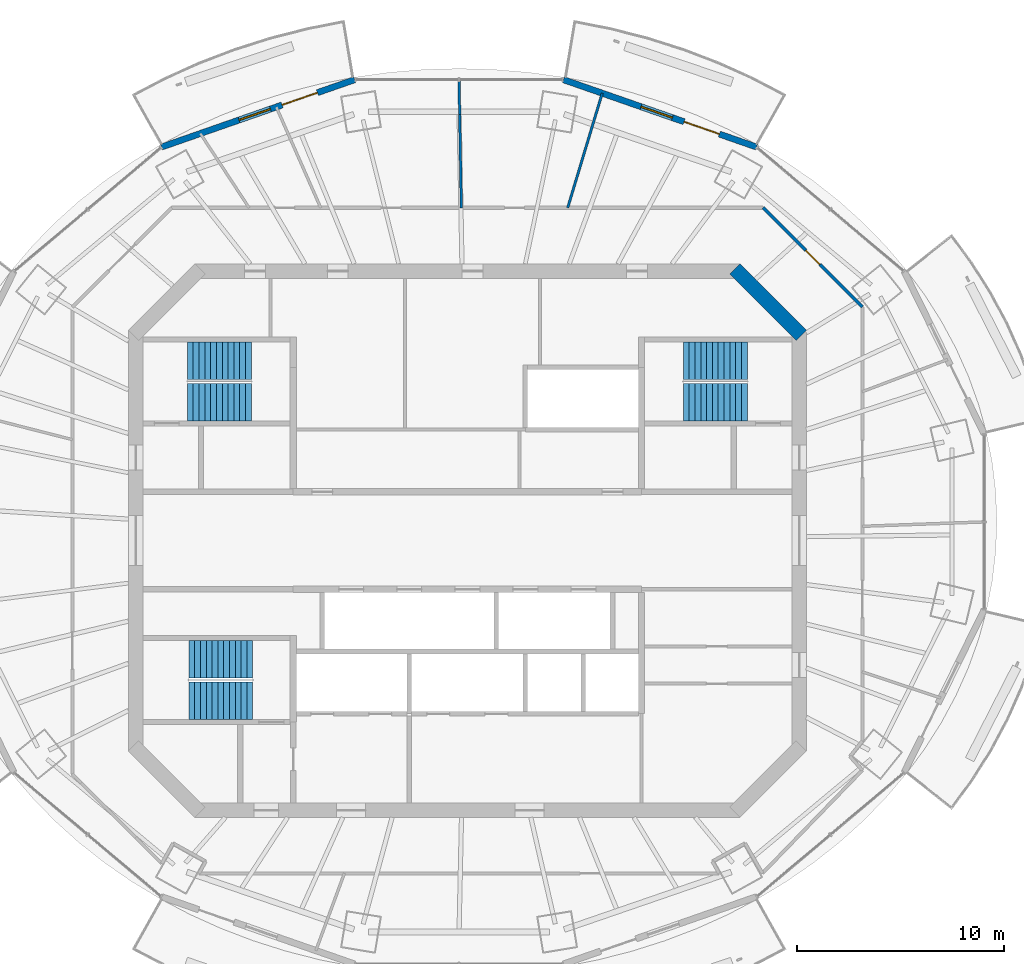
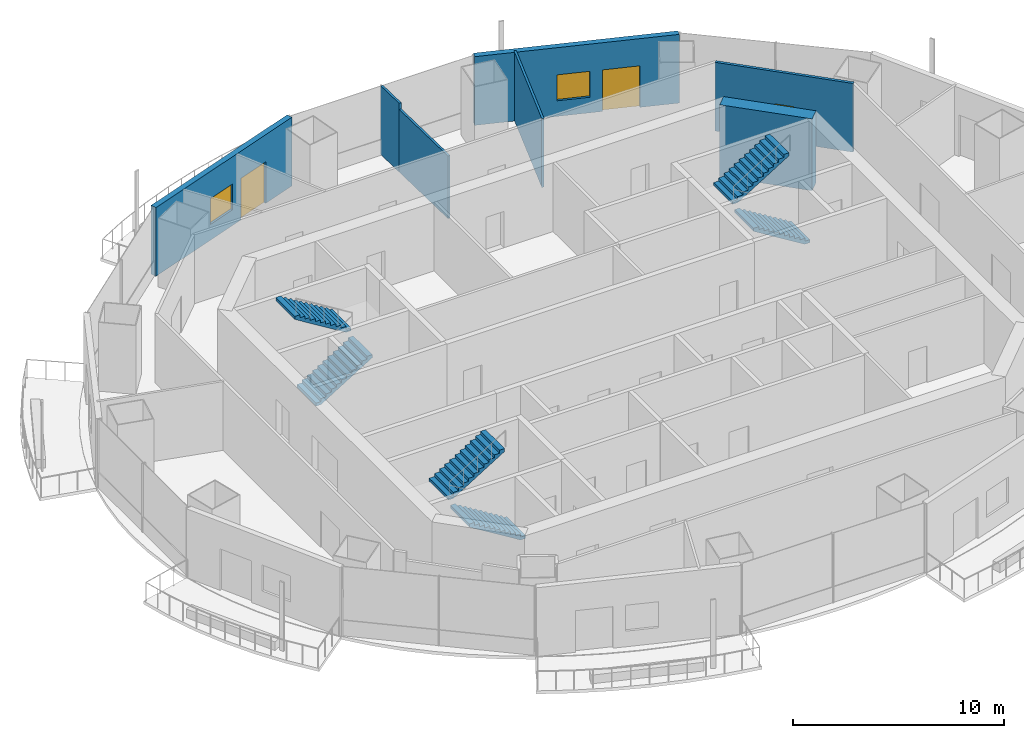
# One storey, part 11 of 16: 7 walls, 6 stair flights, 3 doors, 2 windows, 5 openings, 3 elements without a shape of their own.
"""IFC4 building model written with IfcOpenShell, lengths in metres."""

from ifc_helpers import new_model, si_unit, direction, frame, frame_2d, origin, place, context, subcontext, project, spatial, polyline, rectangle, outline, extrude, material, layer, layer_set, type_object, element, fill, aggregate, save


model = new_model("IFC4")

# Units and contexts
model_context = context("Model", 3, precision=1e-05, world=origin(), true_north=direction((0.0, 1.0)))
body_context = subcontext(model_context, "Body", "Model", "MODEL_VIEW")
ifc_project = project(units=[si_unit("LENGTHUNIT", "METRE"), si_unit("AREAUNIT", "SQUARE_METRE"), si_unit("VOLUMEUNIT", "CUBIC_METRE"), si_unit("PLANEANGLEUNIT", "RADIAN"), si_unit("MASSUNIT", "GRAM", prefix="KILO")], contexts=[model_context])

# Site, building, storey
site_placement = place(None, origin())
site = spatial("IfcSite", under=ifc_project, at=site_placement, CompositionType="ELEMENT")
building_placement = place(site_placement, origin())
building = spatial("IfcBuilding", under=site, at=building_placement, Name="Marenthal Gate Tower", CompositionType="ELEMENT")
storey_placement = place(building_placement, frame((0.0, 0.0, 371.64990234375)))
storey = spatial("IfcBuildingStorey", under=building, at=storey_placement, Name="L84", CompositionType="ELEMENT", Elevation=371.64990234375)

# Walls
ifc_material_1 = material(Name="Concrete 60 MPa", Category="concrete")
ifc_layer_1 = layer(ifc_material_1, 0.699951171875)
ifc_layer_set_1 = layer_set([ifc_layer_1], Name="Core shear wall 700")
wall_type_1 = type_object("IfcWallType", Name="Core shear wall 700", PredefinedType="SHEAR", material=ifc_layer_set_1)
wall_1_placement = place(storey_placement, frame((16.1025390625, 9.8974609375, -0.179931640625), z_axis=(0.0, 0.0, 1.0), x_axis=(-0.707106781187, 0.707106781187, 0.0)))
element("IfcWall", 1, at=wall_1_placement, inside=storey, type_object=wall_type_1, Name="Core wall 03", PredefinedType="SHEAR", context=body_context, shape_type="SweptSolid", body=[
    extrude(rectangle(XDim=4.53271484375, YDim=0.699951171875, at=frame_2d((2.266357421875, 0.0))), origin(), (0.0, 0.0, 1.0), 4.150146484375),
])
ifc_material_2 = material(Name="Gypsum board on steel studs", Category="steel")
ifc_layer_2 = layer(ifc_material_2, 0.1201171875)
ifc_layer_set_2 = layer_set([ifc_layer_2], Name="Partition 120")
wall_type_2 = type_object("IfcWallType", Name="Partition 120", PredefinedType="PARTITIONING", material=ifc_layer_set_2)
wall_2_placement = place(storey_placement, frame((-0.288818359375, 16.050048828125, 0.0), z_axis=(0.0, 0.0, 1.0), x_axis=(-0.01800089031, 0.999837970847, 0.0)))
element("IfcWall", 2, at=wall_2_placement, inside=storey, type_object=wall_type_2, Name="Partition wall 63", PredefinedType="PARTITIONING", context=body_context, shape_type="SweptSolid", body=[
    extrude(rectangle(XDim=4.4892578125, YDim=0.1201171875, at=frame_2d((2.24462890625, 0.0))), origin(), (0.0, 0.0, 1.0), 3.6171875),
])
wall_3_placement = place(storey_placement, frame((-0.36962890625, 20.53857421875, 0.0), z_axis=(0.0, 0.0, 1.0), x_axis=(-0.017923967001, 0.9998393528, 0.0)))
element("IfcWall", 3, at=wall_3_placement, inside=storey, type_object=wall_type_2, Name="Partition wall 79", PredefinedType="PARTITIONING", context=body_context, shape_type="SweptSolid", body=[
    extrude(rectangle(XDim=1.68896484375, YDim=0.1201171875, at=frame_2d((0.844482421875, 0.0))), origin(), (0.0, 0.0, 1.0), 3.97021484375),
])
wall_4_placement = place(storey_placement, frame((4.840087890625, 16.050048828125, 0.0), z_axis=(0.0, 0.0, 1.0), x_axis=(0.288721483907, 0.957413131689, 0.0)))
element("IfcWall", 4, at=wall_4_placement, inside=storey, type_object=wall_type_2, Name="Partition wall 64", PredefinedType="PARTITIONING", context=body_context, shape_type="SweptSolid", body=[
    extrude(rectangle(XDim=5.771240234375, YDim=0.1201171875, at=frame_2d((2.8857421875, 0.0))), origin(), (0.0, 0.0, 1.0), 3.97021484375),
])

# Wall, opening, door
ifc_material_3 = material(Name="Gypsum board on steel studs", Category="steel")
ifc_layer_3 = layer(ifc_material_3, 0.14990234375)
ifc_layer_set_3 = layer_set([ifc_layer_3], Name="Partition 150")
wall_type_3 = type_object("IfcWallType", Name="Partition 150", PredefinedType="PARTITIONING", material=ifc_layer_set_3)
wall_5_placement = place(storey_placement, frame((14.263427734375, 16.050048828125, 0.0), z_axis=(0.0, 0.0, 1.0), x_axis=(0.707106781187, -0.707106781187, 0.0)))
wall_5 = element("IfcWall", 5, at=wall_5_placement, inside=storey, type_object=wall_type_3, Name="Partition wall 69", PredefinedType="PARTITIONING", context=body_context, shape_type="SweptSolid", body=[
    extrude(rectangle(XDim=6.769287109375, YDim=0.14990234375, at=frame_2d((3.384765625, 0.0))), origin(), (0.0, 0.0, 1.0), 3.97021484375),
])
opening_1_placement = place(wall_5_placement, frame((2.909912109375, 0.0, 0.0)))
opening_1 = element("IfcOpeningElement", 6, at=opening_1_placement, cuts=wall_5, Name="Opening D016.01", PredefinedType="OPENING", context=body_context, shape_type="SweptSolid", body=[
    extrude(rectangle(XDim=0.949951171875, YDim=2.10009765625, at=frame_2d((0.47509765625, 1.050048828125))), frame((0.0, 0.0849609375, 0.0), z_axis=(0.0, -1.0, 0.0), x_axis=(1.0, 0.0, 0.0)), (0.0, 0.0, 1.0), 0.169921875),
])
ifc_material_4 = material(Name="Timber door", Category="wood")
door_type_1 = type_object("IfcDoorType", Name="Door 950 x 2100", OperationType="NOTDEFINED", PredefinedType="DOOR", material=ifc_material_4)
door_1_placement = place(opening_1_placement, origin())
door_1 = element("IfcDoor", 7, at=door_1_placement, inside=storey, type_object=door_type_1, Name="Door D016.01", OperationType="SINGLE_SWING_RIGHT", OverallHeight=2.10009765625, OverallWidth=0.949951171875, PredefinedType="DOOR", context=body_context, shape_type="SweptSolid", body=[
    extrude(rectangle(XDim=0.949951171875, YDim=2.10009765625, at=frame_2d((0.47509765625, 1.050048828125))), frame((0.0, 0.02490234375, 0.0), z_axis=(0.0, -1.0, 0.0), x_axis=(1.0, 0.0, 0.0)), (0.0, 0.0, 1.0), 0.050048828125),
])
fill(opening_1, door_1)

# Wall, openings, door, window
ifc_material_5 = material(Name="Terracotta cladding on insulated concrete-block backing", Category="masonry")
ifc_layer_4 = layer(ifc_material_5, 0.300048828125)
ifc_layer_set_4 = layer_set([ifc_layer_4], Name="Terracotta facade wall 300")
wall_type_4 = type_object("IfcWallType", Name="Terracotta facade wall 300", PredefinedType="SOLIDWALL", material=ifc_layer_set_4)
wall_6_placement = place(storey_placement, frame((13.94580078125, 18.980224609375, 0.0), z_axis=(0.0, 0.0, 1.0), x_axis=(-0.944198390312, 0.329377290855, 0.0)))
wall_6 = element("IfcWall", 8, at=wall_6_placement, inside=storey, type_object=wall_type_4, Name="Terracotta facade wall L84 bay 3", PredefinedType="SOLIDWALL", context=body_context, shape_type="SweptSolid", body=[
    extrude(rectangle(XDim=9.858154296875, YDim=0.300048828125, at=frame_2d((4.92919921875, 0.0))), origin(), (0.0, 0.0, 1.0), 3.97021484375),
])
opening_2_placement = place(wall_6_placement, frame((1.89990234375, 0.0, 0.0)))
opening_2 = element("IfcOpeningElement", 9, at=opening_2_placement, cuts=wall_6, Name="Opening BD-L84-03", PredefinedType="OPENING", context=body_context, shape_type="SweptSolid", body=[
    extrude(rectangle(XDim=1.800048828125, YDim=2.39990234375, at=frame_2d((0.89990234375, 1.199951171875))), frame((0.0, 0.16015625, 0.0), z_axis=(0.0, -1.0, 0.0), x_axis=(1.0, 0.0, 0.0)), (0.0, 0.0, 1.0), 0.320068359375),
])
opening_3_placement = place(wall_6_placement, frame((4.300048828125, 0.0, 0.89990234375)))
opening_3 = element("IfcOpeningElement", 10, at=opening_3_placement, cuts=wall_6, Name="Opening WN3-L84-03", PredefinedType="OPENING", context=body_context, shape_type="SweptSolid", body=[
    extrude(rectangle(XDim=1.60009765625, YDim=1.5, at=frame_2d((0.800048828125, 0.75))), frame((0.0, 0.16015625, 0.0), z_axis=(0.0, -1.0, 0.0), x_axis=(1.0, 0.0, 0.0)), (0.0, 0.0, 1.0), 0.320068359375),
])
ifc_material_6 = material(Name="Aluminium and glass", Category="aluminium")
door_type_2 = type_object("IfcDoorType", Name="Balcony door 1800x2400", OperationType="DOUBLE_DOOR_SINGLE_SWING", PredefinedType="DOOR", material=ifc_material_6)
door_2_placement = place(opening_2_placement, origin())
door_2 = element("IfcDoor", 11, at=door_2_placement, inside=storey, type_object=door_type_2, Name="Balcony door L84 bay 3", OperationType="SINGLE_SWING_LEFT", OverallHeight=2.39990234375, OverallWidth=1.800048828125, PredefinedType="DOOR", context=body_context, shape_type="SweptSolid", body=[
    extrude(rectangle(XDim=1.800048828125, YDim=2.39990234375, at=frame_2d((0.89990234375, 1.199951171875))), frame((0.0, 0.02490234375, 0.0), z_axis=(0.0, -1.0, 0.0), x_axis=(1.0, 0.0, 0.0)), (0.0, 0.0, 1.0), 0.050048828125),
])
fill(opening_2, door_2)
ifc_material_7 = material(Name="Aluminium and glass", Category="aluminium")
window_type = type_object("IfcWindowType", Name="Window 1600x1500", PartitioningType="DOUBLE_PANEL_VERTICAL", PredefinedType="WINDOW", material=ifc_material_7)
window_1_placement = place(opening_3_placement, origin())
window_1 = element("IfcWindow", 12, at=window_1_placement, inside=storey, type_object=window_type, Name="Window L84 bay 3", OverallHeight=1.5, OverallWidth=1.60009765625, PartitioningType="SINGLE_PANEL", PredefinedType="WINDOW", context=body_context, shape_type="SweptSolid", body=[
    extrude(rectangle(XDim=1.60009765625, YDim=1.5, at=frame_2d((0.800048828125, 0.75))), frame((0.0, 0.030029296875, 0.0), z_axis=(0.0, -1.0, 0.0), x_axis=(1.0, 0.0, 0.0)), (0.0, 0.0, 1.0), 0.06005859375),
])
fill(opening_3, window_1)

wall_7_placement = place(storey_placement, frame((-5.4375, 22.227294921875, 0.0), z_axis=(0.0, 0.0, 1.0), x_axis=(-0.944201076981, -0.329369589106, 0.0)))
wall_7 = element("IfcWall", 13, at=wall_7_placement, inside=storey, type_object=wall_type_4, Name="Terracotta facade wall L84 bay 5", PredefinedType="SOLIDWALL", context=body_context, shape_type="SweptSolid", body=[
    extrude(rectangle(XDim=9.8583984375, YDim=0.300048828125, at=frame_2d((4.92919921875, 0.0))), origin(), (0.0, 0.0, 1.0), 3.97021484375),
])
opening_4_placement = place(wall_7_placement, frame((1.89990234375, 0.0, 0.0)))
opening_4 = element("IfcOpeningElement", 14, at=opening_4_placement, cuts=wall_7, Name="Opening BD-L84-05", PredefinedType="OPENING", context=body_context, shape_type="SweptSolid", body=[
    extrude(rectangle(XDim=1.800048828125, YDim=2.39990234375, at=frame_2d((0.89990234375, 1.199951171875))), frame((0.0, 0.16015625, 0.0), z_axis=(0.0, -1.0, 0.0), x_axis=(1.0, 0.0, 0.0)), (0.0, 0.0, 1.0), 0.320068359375),
])
opening_5_placement = place(wall_7_placement, frame((4.300048828125, 0.0, 0.89990234375)))
opening_5 = element("IfcOpeningElement", 15, at=opening_5_placement, cuts=wall_7, Name="Opening WN3-L84-05", PredefinedType="OPENING", context=body_context, shape_type="SweptSolid", body=[
    extrude(rectangle(XDim=1.60009765625, YDim=1.5, at=frame_2d((0.800048828125, 0.75))), frame((0.0, 0.16015625, 0.0), z_axis=(0.0, -1.0, 0.0), x_axis=(1.0, 0.0, 0.0)), (0.0, 0.0, 1.0), 0.320068359375),
])
door_3_placement = place(opening_4_placement, origin())
door_3 = element("IfcDoor", 16, at=door_3_placement, inside=storey, type_object=door_type_2, Name="Balcony door L84 bay 5", OperationType="SINGLE_SWING_LEFT", OverallHeight=2.39990234375, OverallWidth=1.800048828125, PredefinedType="DOOR", context=body_context, shape_type="SweptSolid", body=[
    extrude(rectangle(XDim=1.800048828125, YDim=2.39990234375, at=frame_2d((0.89990234375, 1.199951171875))), frame((0.0, 0.02490234375, 0.0), z_axis=(0.0, -1.0, 0.0), x_axis=(1.0, 0.0, 0.0)), (0.0, 0.0, 1.0), 0.050048828125),
])
fill(opening_4, door_3)
window_2_placement = place(opening_5_placement, origin())
window_2 = element("IfcWindow", 17, at=window_2_placement, inside=storey, type_object=window_type, Name="Window L84 bay 5", OverallHeight=1.5, OverallWidth=1.60009765625, PartitioningType="SINGLE_PANEL", PredefinedType="WINDOW", context=body_context, shape_type="SweptSolid", body=[
    extrude(rectangle(XDim=1.60009765625, YDim=1.5, at=frame_2d((0.800048828125, 0.75))), frame((0.0, 0.030029296875, 0.0), z_axis=(0.0, -1.0, 0.0), x_axis=(1.0, 0.0, 0.0)), (0.0, 0.0, 1.0), 0.06005859375),
])
fill(opening_5, window_2)

# Stair, stair flights
ifc_material_8 = material(Name="Concrete 40 MPa", Category="concrete")
stair_type = type_object("IfcStairType", Name="Exit stair 1800", PredefinedType="HALF_TURN_STAIR", material=ifc_material_8)
stair_1_placement = place(storey_placement, origin())
stair_1 = element("IfcStair", 18, at=stair_1_placement, inside=storey, type_object=stair_type, Name="Stair ST1", PredefinedType="HALF_TURN_STAIR")
ifc_material_9 = material(Name="Concrete 40 MPa", Category="concrete")
stair_flight_type = type_object("IfcStairFlightType", Name="Stair flight 1800", PredefinedType="STRAIGHT", material=ifc_material_9)
stair_flight_1_placement = place(storey_placement, frame((-13.5, 6.675048828125, 0.0), z_axis=(0.0, 0.0, 1.0), x_axis=(1.0, 0.0, 0.0)))
stair_flight_1 = element("IfcStairFlight", 19, at=stair_flight_1_placement, type_object=stair_flight_type, Name="ST1 flight 1", NumberOfRisers=12, NumberOfTreads=11, PredefinedType="STRAIGHT", RiserHeight=0.172916667, TreadLength=0.28, context=body_context, shape_type="SweptSolid", body=[
    extrude(outline(polyline([(0.0, 0.0), (0.0, 0.1728515625), (0.280029296875, 0.1728515625), (0.280029296875, 0.345947265625), (0.56005859375, 0.345947265625), (0.56005859375, 0.518798828125), (0.840087890625, 0.518798828125), (0.840087890625, 0.691650390625), (1.1201171875, 0.691650390625), (1.1201171875, 0.864501953125), (1.39990234375, 0.864501953125), (1.39990234375, 1.03759765625), (1.679931640625, 1.03759765625), (1.679931640625, 1.21044921875), (1.9599609375, 1.21044921875), (1.9599609375, 1.38330078125), (2.239990234375, 1.38330078125), (2.239990234375, 1.55615234375), (2.52001953125, 1.55615234375), (2.52001953125, 1.729248046875), (2.800048828125, 1.729248046875), (2.800048828125, 1.902099609375), (3.080078125, 1.902099609375), (3.080078125, 2.074951171875), (3.080078125, 1.725830078125), (0.285400390625, 0.0), (0.0, 0.0)])), frame((0.0, 0.89990234375, 0.0), z_axis=(0.0, -1.0, 0.0), x_axis=(1.0, 0.0, 0.0)), (0.0, 0.0, 1.0), 1.800048828125),
])
stair_flight_2_placement = place(storey_placement, frame((-10.419921875, 8.675048828125, 2.0751953125), z_axis=(0.0, 0.0, 1.0), x_axis=(-1.0, 0.0, 0.0)))
stair_flight_2 = element("IfcStairFlight", 20, at=stair_flight_2_placement, type_object=stair_flight_type, Name="ST1 flight 2", NumberOfRisers=12, NumberOfTreads=11, PredefinedType="STRAIGHT", RiserHeight=0.172916667, TreadLength=0.28, context=body_context, shape_type="SweptSolid", body=[
    extrude(outline(polyline([(0.0, 0.0), (0.0, 0.1728515625), (0.280029296875, 0.1728515625), (0.280029296875, 0.345947265625), (0.56005859375, 0.345947265625), (0.56005859375, 0.518798828125), (0.840087890625, 0.518798828125), (0.840087890625, 0.691650390625), (1.1201171875, 0.691650390625), (1.1201171875, 0.864501953125), (1.39990234375, 0.864501953125), (1.39990234375, 1.03759765625), (1.679931640625, 1.03759765625), (1.679931640625, 1.21044921875), (1.9599609375, 1.21044921875), (1.9599609375, 1.38330078125), (2.239990234375, 1.38330078125), (2.239990234375, 1.55615234375), (2.52001953125, 1.55615234375), (2.52001953125, 1.729248046875), (2.800048828125, 1.729248046875), (2.800048828125, 1.902099609375), (3.080078125, 1.902099609375), (3.080078125, 2.074951171875), (3.080078125, 1.725830078125), (0.285400390625, 0.0), (0.0, 0.0)])), frame((0.0, 0.89990234375, 0.0), z_axis=(0.0, -1.0, 0.0), x_axis=(1.0, 0.0, 0.0)), (0.0, 0.0, 1.0), 1.800048828125),
])
aggregate(stair_1, [stair_flight_1, stair_flight_2])

stair_2_placement = place(storey_placement, origin())
stair_2 = element("IfcStair", 21, at=stair_2_placement, inside=storey, type_object=stair_type, Name="Stair ST2", PredefinedType="HALF_TURN_STAIR")
stair_flight_3_placement = place(storey_placement, frame((-10.35009765625, -7.72509765625, 0.0), z_axis=(0.0, 0.0, 1.0), x_axis=(-1.0, 0.0, 0.0)))
stair_flight_3 = element("IfcStairFlight", 22, at=stair_flight_3_placement, type_object=stair_flight_type, Name="ST2 flight 1", NumberOfRisers=12, NumberOfTreads=11, PredefinedType="STRAIGHT", RiserHeight=0.172916667, TreadLength=0.28, context=body_context, shape_type="SweptSolid", body=[
    extrude(outline(polyline([(0.0, 0.0), (0.0, 0.1728515625), (0.280029296875, 0.1728515625), (0.280029296875, 0.345947265625), (0.56005859375, 0.345947265625), (0.56005859375, 0.518798828125), (0.840087890625, 0.518798828125), (0.840087890625, 0.691650390625), (1.1201171875, 0.691650390625), (1.1201171875, 0.864501953125), (1.39990234375, 0.864501953125), (1.39990234375, 1.03759765625), (1.679931640625, 1.03759765625), (1.679931640625, 1.21044921875), (1.9599609375, 1.21044921875), (1.9599609375, 1.38330078125), (2.239990234375, 1.38330078125), (2.239990234375, 1.55615234375), (2.52001953125, 1.55615234375), (2.52001953125, 1.729248046875), (2.800048828125, 1.729248046875), (2.800048828125, 1.902099609375), (3.080078125, 1.902099609375), (3.080078125, 2.074951171875), (3.080078125, 1.725830078125), (0.285400390625, 0.0), (0.0, 0.0)])), frame((0.0, 0.89990234375, 0.0), z_axis=(0.0, -1.0, 0.0), x_axis=(1.0, 0.0, 0.0)), (0.0, 0.0, 1.0), 1.800048828125),
])
stair_flight_4_placement = place(storey_placement, frame((-13.429931640625, -5.72509765625, 2.0751953125), z_axis=(0.0, 0.0, 1.0), x_axis=(1.0, 0.0, 0.0)))
stair_flight_4 = element("IfcStairFlight", 23, at=stair_flight_4_placement, type_object=stair_flight_type, Name="ST2 flight 2", NumberOfRisers=12, NumberOfTreads=11, PredefinedType="STRAIGHT", RiserHeight=0.172916667, TreadLength=0.28, context=body_context, shape_type="SweptSolid", body=[
    extrude(outline(polyline([(0.0, 0.0), (0.0, 0.1728515625), (0.280029296875, 0.1728515625), (0.280029296875, 0.345947265625), (0.56005859375, 0.345947265625), (0.56005859375, 0.518798828125), (0.840087890625, 0.518798828125), (0.840087890625, 0.691650390625), (1.1201171875, 0.691650390625), (1.1201171875, 0.864501953125), (1.39990234375, 0.864501953125), (1.39990234375, 1.03759765625), (1.679931640625, 1.03759765625), (1.679931640625, 1.21044921875), (1.9599609375, 1.21044921875), (1.9599609375, 1.38330078125), (2.239990234375, 1.38330078125), (2.239990234375, 1.55615234375), (2.52001953125, 1.55615234375), (2.52001953125, 1.729248046875), (2.800048828125, 1.729248046875), (2.800048828125, 1.902099609375), (3.080078125, 1.902099609375), (3.080078125, 2.074951171875), (3.080078125, 1.725830078125), (0.285400390625, 0.0), (0.0, 0.0)])), frame((0.0, 0.89990234375, 0.0), z_axis=(0.0, -1.0, 0.0), x_axis=(1.0, 0.0, 0.0)), (0.0, 0.0, 1.0), 1.800048828125),
])
aggregate(stair_2, [stair_flight_3, stair_flight_4])

stair_3_placement = place(storey_placement, origin())
stair_3 = element("IfcStair", 24, at=stair_3_placement, inside=storey, type_object=stair_type, Name="Stair ST3", PredefinedType="HALF_TURN_STAIR")
stair_flight_5_placement = place(storey_placement, frame((13.5, 6.675048828125, 0.0), z_axis=(0.0, 0.0, 1.0), x_axis=(-1.0, 0.0, 0.0)))
stair_flight_5 = element("IfcStairFlight", 25, at=stair_flight_5_placement, type_object=stair_flight_type, Name="ST3 flight 1", NumberOfRisers=12, NumberOfTreads=11, PredefinedType="STRAIGHT", RiserHeight=0.172916667, TreadLength=0.28, context=body_context, shape_type="SweptSolid", body=[
    extrude(outline(polyline([(0.0, 0.0), (0.0, 0.1728515625), (0.280029296875, 0.1728515625), (0.280029296875, 0.345947265625), (0.56005859375, 0.345947265625), (0.56005859375, 0.518798828125), (0.840087890625, 0.518798828125), (0.840087890625, 0.691650390625), (1.1201171875, 0.691650390625), (1.1201171875, 0.864501953125), (1.39990234375, 0.864501953125), (1.39990234375, 1.03759765625), (1.679931640625, 1.03759765625), (1.679931640625, 1.21044921875), (1.9599609375, 1.21044921875), (1.9599609375, 1.38330078125), (2.239990234375, 1.38330078125), (2.239990234375, 1.55615234375), (2.52001953125, 1.55615234375), (2.52001953125, 1.729248046875), (2.800048828125, 1.729248046875), (2.800048828125, 1.902099609375), (3.080078125, 1.902099609375), (3.080078125, 2.074951171875), (3.080078125, 1.725830078125), (0.285400390625, 0.0), (0.0, 0.0)])), frame((0.0, 0.89990234375, 0.0), z_axis=(0.0, -1.0, 0.0), x_axis=(1.0, 0.0, 0.0)), (0.0, 0.0, 1.0), 1.800048828125),
])
stair_flight_6_placement = place(storey_placement, frame((10.419921875, 8.675048828125, 2.0751953125), z_axis=(0.0, 0.0, 1.0), x_axis=(1.0, 0.0, 0.0)))
stair_flight_6 = element("IfcStairFlight", 26, at=stair_flight_6_placement, type_object=stair_flight_type, Name="ST3 flight 2", NumberOfRisers=12, NumberOfTreads=11, PredefinedType="STRAIGHT", RiserHeight=0.172916667, TreadLength=0.28, context=body_context, shape_type="SweptSolid", body=[
    extrude(outline(polyline([(0.0, 0.0), (0.0, 0.1728515625), (0.280029296875, 0.1728515625), (0.280029296875, 0.345947265625), (0.56005859375, 0.345947265625), (0.56005859375, 0.518798828125), (0.840087890625, 0.518798828125), (0.840087890625, 0.691650390625), (1.1201171875, 0.691650390625), (1.1201171875, 0.864501953125), (1.39990234375, 0.864501953125), (1.39990234375, 1.03759765625), (1.679931640625, 1.03759765625), (1.679931640625, 1.21044921875), (1.9599609375, 1.21044921875), (1.9599609375, 1.38330078125), (2.239990234375, 1.38330078125), (2.239990234375, 1.55615234375), (2.52001953125, 1.55615234375), (2.52001953125, 1.729248046875), (2.800048828125, 1.729248046875), (2.800048828125, 1.902099609375), (3.080078125, 1.902099609375), (3.080078125, 2.074951171875), (3.080078125, 1.725830078125), (0.285400390625, 0.0), (0.0, 0.0)])), frame((0.0, 0.89990234375, 0.0), z_axis=(0.0, -1.0, 0.0), x_axis=(1.0, 0.0, 0.0)), (0.0, 0.0, 1.0), 1.800048828125),
])
aggregate(stair_3, [stair_flight_5, stair_flight_6])

save(model, "model.ifc")
